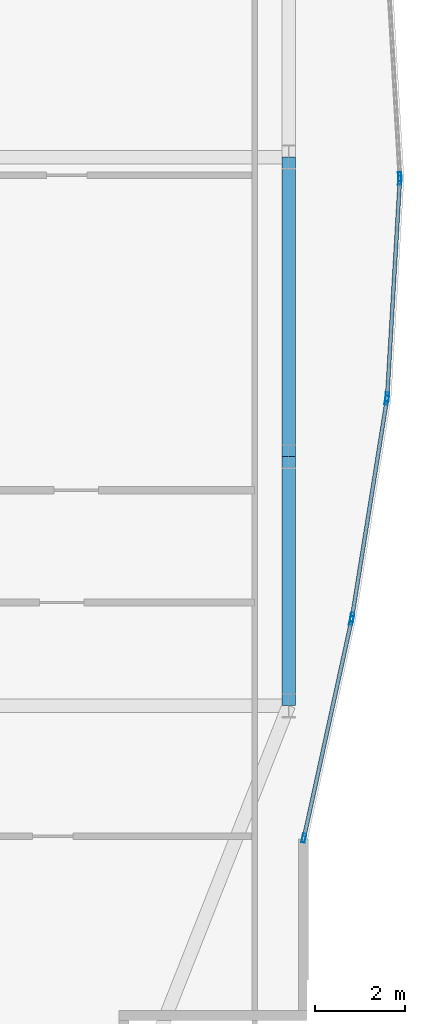
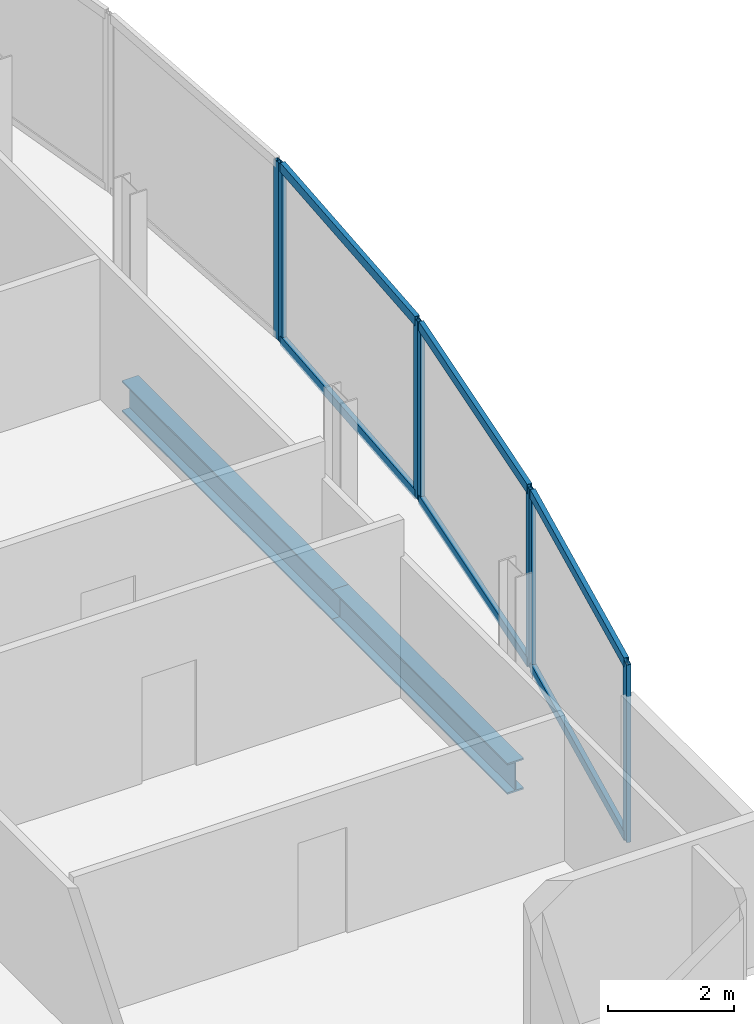
# One storey, part 21 of 29: 13 members, 2 beams, 4 elements without a shape of their own.
"""IFC4 building model written with IfcOpenShell, lengths in metres."""

from ifc_helpers import new_model, si_unit, direction, frame, origin, origin_2d, place, context, subcontext, project, spatial, hollow_rectangle, i_section, extrude, material, material_profile, profile_set, type_object, element, aggregate, save


model = new_model("IFC4")

# Units and contexts
model_context = context("Model", 3, precision=1e-05, world=origin(), true_north=direction((0.0, 1.0)))
body_context = subcontext(model_context, "Body", "Model", "MODEL_VIEW")
ifc_project = project(units=[si_unit("LENGTHUNIT", "METRE"), si_unit("AREAUNIT", "SQUARE_METRE"), si_unit("VOLUMEUNIT", "CUBIC_METRE"), si_unit("PLANEANGLEUNIT", "RADIAN"), si_unit("MASSUNIT", "GRAM", prefix="KILO")], contexts=[model_context])

# Site, building, storey
site_placement = place(None, origin())
site = spatial("IfcSite", under=ifc_project, at=site_placement, CompositionType="ELEMENT")
building_placement = place(site_placement, origin())
building = spatial("IfcBuilding", under=site, at=building_placement, Name="Khoronbel Lancet Exchange", CompositionType="ELEMENT")
storey_placement = place(building_placement, frame((0.0, 0.0, 161.39990234375)))
storey = spatial("IfcBuildingStorey", under=building, at=storey_placement, Name="L40", CompositionType="ELEMENT", Elevation=161.39990234375)

# Beams
ifc_material_1 = material(Name="Steel S355", Category="steel")
ifc_material_profile_1 = material_profile(ifc_material_1, i_section(OverallWidth=0.300048828125, OverallDepth=0.60009765625, WebThickness=0.015380859375, FlangeThickness=0.030029296875, at=origin_2d()), Name="HEB 600")
ifc_profile_set_1 = profile_set([ifc_material_profile_1], Name="Steel S355")
beam_type = type_object("IfcBeamType", Name="BM-BSP2", PredefinedType="SPANDREL", material=ifc_profile_set_1)
beam_1_placement = place(storey_placement, frame((67.6298828125, 19.199951171875, -0.4599609375), z_axis=(0.0, 1.0, 0.0), x_axis=(-1.0, 0.0, 0.0)))
element("IfcBeam", 1, at=beam_1_placement, inside=storey, type_object=beam_type, Name="Level L40 perimeter spandrel beam SP11", PredefinedType="SPANDREL", context=body_context, shape_type="SweptSolid", body=[
    extrude(i_section(OverallWidth=0.300048828125, OverallDepth=0.60009765625, WebThickness=0.015380859375, FlangeThickness=0.030029296875, at=origin_2d()), origin(), (0.0, 0.0, 1.0), 5.550048828125),
])
beam_2_placement = place(storey_placement, frame((67.6298828125, 24.75, -0.4599609375), z_axis=(0.0, 1.0, 0.0), x_axis=(-1.0, 0.0, 0.0)))
element("IfcBeam", 2, at=beam_2_placement, inside=storey, type_object=beam_type, Name="Level L40 perimeter spandrel beam SP12", PredefinedType="SPANDREL", context=body_context, shape_type="SweptSolid", body=[
    extrude(i_section(OverallWidth=0.300048828125, OverallDepth=0.60009765625, WebThickness=0.015380859375, FlangeThickness=0.030029296875, at=origin_2d()), origin(), (0.0, 0.0, 1.0), 6.675048828125),
])

# Curtain wall, member
ifc_material_2 = material(Name="Low-E Solar Control Insulating Glass", Category="glass")
curtain_wall_type = type_object("IfcCurtainWallType", Name="CW-4", PredefinedType="NOTDEFINED", material=ifc_material_2)
curtain_wall_1_placement = place(storey_placement, origin())
curtain_wall_1 = element("IfcCurtainWall", 3, at=curtain_wall_1_placement, inside=storey, type_object=curtain_wall_type, Name="Unitised curtain wall CW-L40-E19", PredefinedType="NOTDEFINED")
ifc_material_3 = material(Name="Bronze-Anodised Aluminium 6063-T6", Category="aluminium")
ifc_material_profile_2 = material_profile(ifc_material_3, hollow_rectangle(XDim=0.074951171875, YDim=0.199951171875, WallThickness=0.0048828125, at=origin_2d()), Name="ALU MULLION 75x200")
ifc_profile_set_2 = profile_set([ifc_material_profile_2], Name="Bronze-Anodised Aluminium 6063-T6")
member_type_1 = type_object("IfcMemberType", Name="MEM-CWM2", PredefinedType="MULLION", material=ifc_profile_set_2)
member_1_placement = place(storey_placement, frame((70.107666015625, 30.987548828125, 0.0), z_axis=(0.0, 0.0, 1.0), x_axis=(0.998289143908, 0.058470378441, 0.0)))
member_1 = element("IfcMember", 4, at=member_1_placement, type_object=member_type_1, Name="CW4 mullion 2", PredefinedType="MULLION", context=body_context, shape_type="SweptSolid", body=[
    extrude(hollow_rectangle(XDim=0.074951171875, YDim=0.199951171875, WallThickness=0.0048828125, at=origin_2d()), origin(), (0.0, 0.0, 1.0), 3.440185546875),
])
aggregate(curtain_wall_1, [member_1])

# Curtain wall, members
curtain_wall_2_placement = place(storey_placement, origin())
curtain_wall_2 = element("IfcCurtainWall", 5, at=curtain_wall_2_placement, inside=storey, type_object=curtain_wall_type, Name="Unitised curtain wall CW-L40-E20", PredefinedType="NOTDEFINED")
member_2_placement = place(storey_placement, frame((70.107666015625, 30.91259765625, 0.0), z_axis=(0.0, 0.0, 1.0), x_axis=(0.998289143908, -0.058470378441, 0.0)))
member_2 = element("IfcMember", 6, at=member_2_placement, type_object=member_type_1, Name="CW4 mullion 1", PredefinedType="MULLION", context=body_context, shape_type="SweptSolid", body=[
    extrude(hollow_rectangle(XDim=0.074951171875, YDim=0.199951171875, WallThickness=0.0048828125, at=origin_2d()), origin(), (0.0, 0.0, 1.0), 3.440185546875),
])
member_3_placement = place(storey_placement, frame((69.82470703125, 26.08056640625, 0.0), z_axis=(0.0, 0.0, 1.0), x_axis=(0.998289143908, -0.058470378441, 0.0)))
member_3 = element("IfcMember", 7, at=member_3_placement, type_object=member_type_1, Name="CW4 mullion 2", PredefinedType="MULLION", context=body_context, shape_type="SweptSolid", body=[
    extrude(hollow_rectangle(XDim=0.074951171875, YDim=0.199951171875, WallThickness=0.0048828125, at=origin_2d()), origin(), (0.0, 0.0, 1.0), 3.440185546875),
])

curtain_wall_3_placement = place(storey_placement, origin())
curtain_wall_3 = element("IfcCurtainWall", 8, at=curtain_wall_3_placement, inside=storey, type_object=curtain_wall_type, Name="Unitised curtain wall CW-L40-E21", PredefinedType="NOTDEFINED")
member_4_placement = place(storey_placement, frame((69.81640625, 26.006103515625, 0.0), z_axis=(0.0, 0.0, 1.0), x_axis=(0.987429710822, -0.158058742835, 0.0)))
member_4 = element("IfcMember", 9, at=member_4_placement, type_object=member_type_1, Name="CW4 mullion 1", PredefinedType="MULLION", context=body_context, shape_type="SweptSolid", body=[
    extrude(hollow_rectangle(XDim=0.074951171875, YDim=0.199951171875, WallThickness=0.0048828125, at=origin_2d()), origin(), (0.0, 0.0, 1.0), 3.440185546875),
])
member_5_placement = place(storey_placement, frame((69.04248046875, 21.17041015625, 0.0), z_axis=(0.0, 0.0, 1.0), x_axis=(0.987429710822, -0.158058742835, 0.0)))
member_5 = element("IfcMember", 10, at=member_5_placement, type_object=member_type_1, Name="CW4 mullion 2", PredefinedType="MULLION", context=body_context, shape_type="SweptSolid", body=[
    extrude(hollow_rectangle(XDim=0.074951171875, YDim=0.199951171875, WallThickness=0.0048828125, at=origin_2d()), origin(), (0.0, 0.0, 1.0), 3.440185546875),
])

curtain_wall_4_placement = place(storey_placement, origin())
curtain_wall_4 = element("IfcCurtainWall", 11, at=curtain_wall_4_placement, inside=storey, type_object=curtain_wall_type, Name="Unitised curtain wall CW-L40-E22", PredefinedType="NOTDEFINED")
member_6_placement = place(storey_placement, frame((69.028564453125, 21.0966796875, 0.0), z_axis=(0.0, 0.0, 1.0), x_axis=(0.976923181341, -0.213590958982, 0.0)))
member_6 = element("IfcMember", 12, at=member_6_placement, type_object=member_type_1, Name="CW4 mullion 1", PredefinedType="MULLION", context=body_context, shape_type="SweptSolid", body=[
    extrude(hollow_rectangle(XDim=0.074951171875, YDim=0.199951171875, WallThickness=0.0048828125, at=origin_2d()), origin(), (0.0, 0.0, 1.0), 3.440185546875),
])
member_7_placement = place(storey_placement, frame((67.968017578125, 16.246337890625, 0.0), z_axis=(0.0, 0.0, 1.0), x_axis=(0.976923181341, -0.213590958982, 0.0)))
member_7 = element("IfcMember", 13, at=member_7_placement, type_object=member_type_1, Name="CW4 mullion 2", PredefinedType="MULLION", context=body_context, shape_type="SweptSolid", body=[
    extrude(hollow_rectangle(XDim=0.074951171875, YDim=0.199951171875, WallThickness=0.0048828125, at=origin_2d()), origin(), (0.0, 0.0, 1.0), 3.440185546875),
])

# Member
ifc_material_profile_3 = material_profile(ifc_material_3, hollow_rectangle(XDim=0.0849609375, YDim=0.179931640625, WallThickness=0.0048828125, at=origin_2d()), Name="ALU TRANSOM 85x180")
ifc_profile_set_3 = profile_set([ifc_material_profile_3], Name="Bronze-Anodised Aluminium 6063-T6")
member_type_2 = type_object("IfcMemberType", Name="MEM-CWT1", PredefinedType="USERDEFINED", material=ifc_profile_set_3)
member_8_placement = place(storey_placement, frame((70.10546875, 30.875244140625, 0.04248046875), z_axis=(-0.058454734605, -0.998290060054, 0.0), x_axis=(0.998290060054, -0.058454734605, 0.0)))
member_8 = element("IfcMember", 14, at=member_8_placement, type_object=member_type_2, Name="CW4 transom 1.1", ObjectType="TRANSOM", PredefinedType="USERDEFINED", context=body_context, shape_type="SweptSolid", body=[
    extrude(hollow_rectangle(XDim=0.0849609375, YDim=0.179931640625, WallThickness=0.0048828125, at=origin_2d()), origin(), (0.0, 0.0, 1.0), 4.765380859375),
])

member_9_placement = place(storey_placement, frame((70.10546875, 30.875244140625, 3.397705078125), z_axis=(-0.058454734605, -0.998290060054, 0.0), x_axis=(0.998290060054, -0.058454734605, 0.0)))
member_9 = element("IfcMember", 15, at=member_9_placement, type_object=member_type_2, Name="CW4 transom 1.2", ObjectType="TRANSOM", PredefinedType="USERDEFINED", context=body_context, shape_type="SweptSolid", body=[
    extrude(hollow_rectangle(XDim=0.0849609375, YDim=0.179931640625, WallThickness=0.0048828125, at=origin_2d()), origin(), (0.0, 0.0, 1.0), 4.765380859375),
])

aggregate(curtain_wall_2, [member_2, member_3, member_8, member_9])

member_10_placement = place(storey_placement, frame((69.810546875, 25.968994140625, 0.04248046875), z_axis=(-0.158065536684, -0.9874286233, 0.0), x_axis=(0.9874286233, -0.158065536684, 0.0)))
member_10 = element("IfcMember", 16, at=member_10_placement, type_object=member_type_2, Name="CW4 transom 1.1", ObjectType="TRANSOM", PredefinedType="USERDEFINED", context=body_context, shape_type="SweptSolid", body=[
    extrude(hollow_rectangle(XDim=0.0849609375, YDim=0.179931640625, WallThickness=0.0048828125, at=origin_2d()), origin(), (0.0, 0.0, 1.0), 4.822021484375),
])

member_11_placement = place(storey_placement, frame((69.810546875, 25.968994140625, 3.397705078125), z_axis=(-0.158065536684, -0.9874286233, 0.0), x_axis=(0.9874286233, -0.158065536684, 0.0)))
member_11 = element("IfcMember", 17, at=member_11_placement, type_object=member_type_2, Name="CW4 transom 1.2", ObjectType="TRANSOM", PredefinedType="USERDEFINED", context=body_context, shape_type="SweptSolid", body=[
    extrude(hollow_rectangle(XDim=0.0849609375, YDim=0.179931640625, WallThickness=0.0048828125, at=origin_2d()), origin(), (0.0, 0.0, 1.0), 4.822021484375),
])

aggregate(curtain_wall_3, [member_4, member_5, member_10, member_11])

member_12_placement = place(storey_placement, frame((69.0205078125, 21.06005859375, 0.04248046875), z_axis=(-0.213588182485, -0.97692378838, 0.0), x_axis=(0.97692378838, -0.213588182485, 0.0)))
member_12 = element("IfcMember", 18, at=member_12_placement, type_object=member_type_2, Name="CW4 transom 1.1", ObjectType="TRANSOM", PredefinedType="USERDEFINED", context=body_context, shape_type="SweptSolid", body=[
    extrude(hollow_rectangle(XDim=0.0849609375, YDim=0.179931640625, WallThickness=0.0048828125, at=origin_2d()), origin(), (0.0, 0.0, 1.0), 4.889892578125),
])

member_13_placement = place(storey_placement, frame((69.0205078125, 21.06005859375, 3.397705078125), z_axis=(-0.213588182485, -0.97692378838, 0.0), x_axis=(0.97692378838, -0.213588182485, 0.0)))
member_13 = element("IfcMember", 19, at=member_13_placement, type_object=member_type_2, Name="CW4 transom 1.2", ObjectType="TRANSOM", PredefinedType="USERDEFINED", context=body_context, shape_type="SweptSolid", body=[
    extrude(hollow_rectangle(XDim=0.0849609375, YDim=0.179931640625, WallThickness=0.0048828125, at=origin_2d()), origin(), (0.0, 0.0, 1.0), 4.889892578125),
])

aggregate(curtain_wall_4, [member_6, member_7, member_12, member_13])

save(model, "model.ifc")
